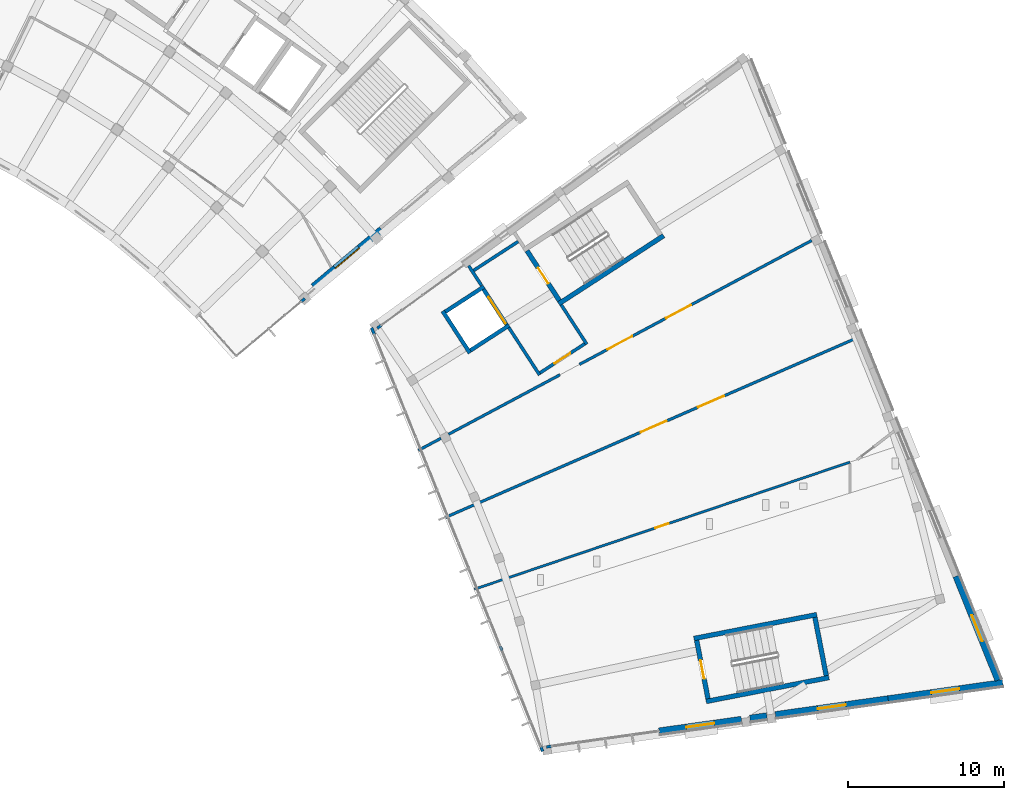
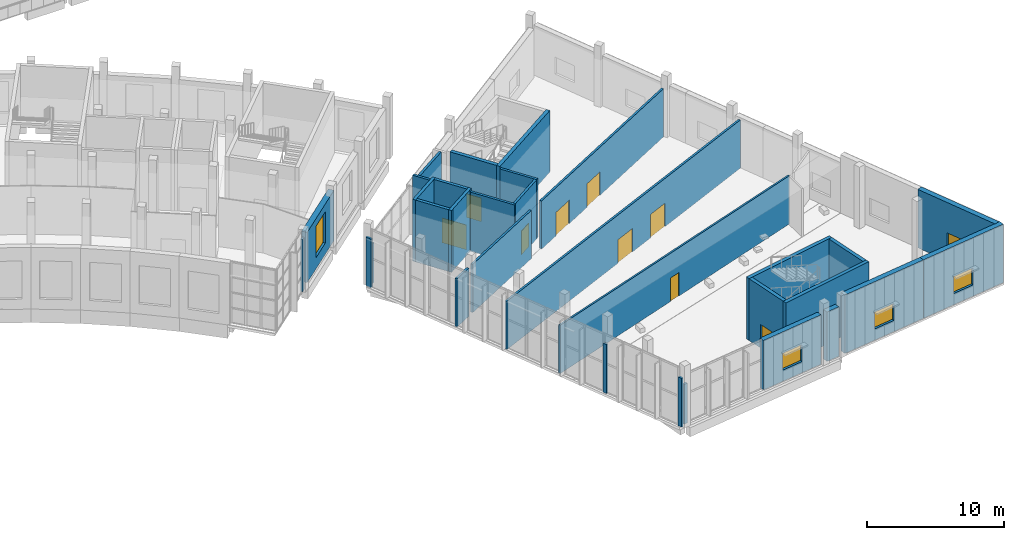
# One storey, part 42 of 87: 32 walls, 9 doors, 5 windows, 14 openings.
"""IFC4 building model written with IfcOpenShell, lengths in metres."""

from ifc_helpers import new_model, si_unit, direction, frame, frame_2d, origin, place, context, subcontext, project, spatial, rectangle, extrude, material, layer, layer_set, type_object, element, fill, save


model = new_model("IFC4")

# Units and contexts
model_context = context("Model", 3, precision=1e-05, world=origin(), true_north=direction((0.0, 1.0)))
body_context = subcontext(model_context, "Body", "Model", "MODEL_VIEW")
ifc_project = project(units=[si_unit("LENGTHUNIT", "METRE"), si_unit("AREAUNIT", "SQUARE_METRE"), si_unit("VOLUMEUNIT", "CUBIC_METRE"), si_unit("PLANEANGLEUNIT", "RADIAN"), si_unit("MASSUNIT", "GRAM", prefix="KILO")], contexts=[model_context])

# Site, building, storey
site_placement = place(None, origin())
site = spatial("IfcSite", under=ifc_project, at=site_placement, CompositionType="ELEMENT")
building_placement = place(site_placement, origin())
building = spatial("IfcBuilding", under=site, at=building_placement, Name="Lunette Opera House", CompositionType="ELEMENT")
storey_placement = place(building_placement, frame((0.0, 0.0, 11.5)))
storey = spatial("IfcBuildingStorey", under=building, at=storey_placement, Name="L02", CompositionType="ELEMENT", Elevation=11.5)

# Wall, openings, doors
ifc_material_1 = material(Name="Plastered clay blockwork", Category="masonry")
ifc_layer_1 = layer(ifc_material_1, 0.175048828125)
ifc_layer_set_1 = layer_set([ifc_layer_1], Name="Plastered clay blockwork")
wall_type_1 = type_object("IfcWallType", Name="ACOUSTIC BLOCK PARTITION 175", PredefinedType="PARTITIONING", material=ifc_layer_set_1)
wall_1_placement = place(storey_placement, frame((157.985107421875, 33.076904296875, 0.0), z_axis=(0.0, 0.0, 1.0), x_axis=(0.882245671987, 0.470789309841, 0.0)))
wall_1 = element("IfcWall", 1, at=wall_1_placement, inside=storey, type_object=wall_type_1, Name="Partition Studio Theatre Upper Foyer", PredefinedType="PARTITIONING", context=body_context, shape_type="SweptSolid", body=[
    extrude(rectangle(XDim=16.8251953125, YDim=0.175048828125, at=frame_2d((8.41259765625, 0.0))), origin(), (0.0, 0.0, 1.0), 4.300048828125),
])
opening_1_placement = place(wall_1_placement, frame((2.02587890625, 0.0, 0.0)))
opening_1 = element("IfcOpeningElement", 2, at=opening_1_placement, cuts=wall_1, Name="Opening SB-D3017", PredefinedType="OPENING", context=body_context, shape_type="SweptSolid", body=[
    extrude(rectangle(XDim=1.800048828125, YDim=2.10009765625, at=frame_2d((0.89990234375, 1.050048828125))), frame((0.0, 0.099609375, 0.0), z_axis=(0.0, -1.0, 0.0), x_axis=(1.0, 0.0, 0.0)), (0.0, 0.0, 1.0), 0.198974609375),
])
opening_2_placement = place(wall_1_placement, frame((6.27587890625, 0.0, 0.0)))
opening_2 = element("IfcOpeningElement", 3, at=opening_2_placement, cuts=wall_1, Name="Opening SB-D3018", PredefinedType="OPENING", context=body_context, shape_type="SweptSolid", body=[
    extrude(rectangle(XDim=1.800048828125, YDim=2.10009765625, at=frame_2d((0.89990234375, 1.050048828125))), frame((0.0, 0.099609375, 0.0), z_axis=(0.0, -1.0, 0.0), x_axis=(1.0, 0.0, 0.0)), (0.0, 0.0, 1.0), 0.198974609375),
])
ifc_material_2 = material(Name="Timber", Category="wood")
door_type_1 = type_object("IfcDoorType", Name="SOUND LOCK DOOR 1800 X 2100", OperationType="DOUBLE_DOOR_SINGLE_SWING", PredefinedType="DOOR", material=ifc_material_2)
door_1_placement = place(opening_1_placement, origin())
door_1 = element("IfcDoor", 4, at=door_1_placement, inside=storey, type_object=door_type_1, Name="Studio Theatre Gallery door", OperationType="DOUBLE_DOOR_SINGLE_SWING", OverallHeight=2.10009765625, OverallWidth=1.800048828125, PredefinedType="DOOR", context=body_context, shape_type="SweptSolid", body=[
    extrude(rectangle(XDim=1.800048828125, YDim=2.10009765625, at=frame_2d((0.89990234375, 1.050048828125))), frame((0.0, 0.02490234375, 0.0), z_axis=(0.0, -1.0, 0.0), x_axis=(1.0, 0.0, 0.0)), (0.0, 0.0, 1.0), 0.050048828125),
])
fill(opening_1, door_1)
door_2_placement = place(opening_2_placement, origin())
door_2 = element("IfcDoor", 5, at=door_2_placement, inside=storey, type_object=door_type_1, Name="Studio Theatre Gallery door", OperationType="DOUBLE_DOOR_SINGLE_SWING", OverallHeight=2.10009765625, OverallWidth=1.800048828125, PredefinedType="DOOR", context=body_context, shape_type="SweptSolid", body=[
    extrude(rectangle(XDim=1.800048828125, YDim=2.10009765625, at=frame_2d((0.89990234375, 1.050048828125))), frame((0.0, 0.02490234375, 0.0), z_axis=(0.0, -1.0, 0.0), x_axis=(1.0, 0.0, 0.0)), (0.0, 0.0, 1.0), 0.050048828125),
])
fill(opening_2, door_2)

# Walls
wall_2_placement = place(storey_placement, frame((149.618896484375, 28.612060546875, 0.0), z_axis=(0.0, 0.0, 1.0), x_axis=(0.882249989565, 0.470781218733, 0.0)))
element("IfcWall", 6, at=wall_2_placement, inside=storey, type_object=wall_type_1, Name="Partition Studio Theatre Upper Foyer", PredefinedType="PARTITIONING", context=body_context, shape_type="SweptSolid", body=[
    extrude(rectangle(XDim=8.075927734375, YDim=0.175048828125, at=frame_2d((4.0380859375, 0.0))), origin(), (0.0, 0.0, 1.0), 4.300048828125),
])
wall_3_placement = place(storey_placement, frame((147.697998046875, 27.5869140625, 0.0), z_axis=(0.0, 0.0, 1.0), x_axis=(0.882161764928, 0.47094651554, 0.0)))
element("IfcWall", 7, at=wall_3_placement, inside=storey, type_object=wall_type_1, Name="Partition Studio Theatre Upper Foyer", PredefinedType="PARTITIONING", context=body_context, shape_type="SweptSolid", body=[
    extrude(rectangle(XDim=1.626708984375, YDim=0.175048828125, at=frame_2d((0.8134765625, 0.0))), origin(), (0.0, 0.0, 1.0), 4.300048828125),
])

# Wall, openings, doors
wall_4_placement = place(storey_placement, frame((175.68994140625, 34.756103515625, 0.0), z_axis=(0.0, 0.0, 1.0), x_axis=(-0.916618872493, -0.39976223257, 0.0)))
wall_4 = element("IfcWall", 8, at=wall_4_placement, inside=storey, type_object=wall_type_1, Name="Partition Studio Rehearsal Room Upper", PredefinedType="PARTITIONING", context=body_context, shape_type="SweptSolid", body=[
    extrude(rectangle(XDim=28.64990234375, YDim=0.175048828125, at=frame_2d((14.324951171875, 0.0))), origin(), (0.0, 0.0, 1.0), 4.300048828125),
])
opening_3_placement = place(wall_4_placement, frame((13.239990234375, 0.0, 0.0)))
opening_3 = element("IfcOpeningElement", 9, at=opening_3_placement, cuts=wall_4, Name="Opening SB-D3019", PredefinedType="OPENING", context=body_context, shape_type="SweptSolid", body=[
    extrude(rectangle(XDim=1.800048828125, YDim=2.10009765625, at=frame_2d((0.89990234375, 1.050048828125))), frame((0.0, 0.099609375, 0.0), z_axis=(0.0, -1.0, 0.0), x_axis=(1.0, 0.0, 0.0)), (0.0, 0.0, 1.0), 0.198974609375),
])
opening_4_placement = place(wall_4_placement, frame((9.239990234375, 0.0, 0.0)))
opening_4 = element("IfcOpeningElement", 10, at=opening_4_placement, cuts=wall_4, Name="Opening SB-D3020", PredefinedType="OPENING", context=body_context, shape_type="SweptSolid", body=[
    extrude(rectangle(XDim=1.800048828125, YDim=2.10009765625, at=frame_2d((0.89990234375, 1.050048828125))), frame((0.0, 0.099609375, 0.0), z_axis=(0.0, -1.0, 0.0), x_axis=(1.0, 0.0, 0.0)), (0.0, 0.0, 1.0), 0.198974609375),
])
ifc_material_3 = material(Name="Timber", Category="wood")
door_type_2 = type_object("IfcDoorType", Name="DOUBLE FLUSH DOOR 1800 X 2100", OperationType="DOUBLE_DOOR_SINGLE_SWING", PredefinedType="DOOR", material=ifc_material_3)
door_3_placement = place(opening_3_placement, origin())
door_3 = element("IfcDoor", 11, at=door_3_placement, inside=storey, type_object=door_type_2, Name="Studio Rehearsal Room Upper door", OperationType="DOUBLE_DOOR_SINGLE_SWING", OverallHeight=2.10009765625, OverallWidth=1.800048828125, PredefinedType="DOOR", context=body_context, shape_type="SweptSolid", body=[
    extrude(rectangle(XDim=1.800048828125, YDim=2.10009765625, at=frame_2d((0.89990234375, 1.050048828125))), frame((0.0, 0.02490234375, 0.0), z_axis=(0.0, -1.0, 0.0), x_axis=(1.0, 0.0, 0.0)), (0.0, 0.0, 1.0), 0.050048828125),
])
fill(opening_3, door_3)
door_4_placement = place(opening_4_placement, origin())
door_4 = element("IfcDoor", 12, at=door_4_placement, inside=storey, type_object=door_type_2, Name="Studio Rehearsal Room Upper door", OperationType="DOUBLE_DOOR_SINGLE_SWING", OverallHeight=2.10009765625, OverallWidth=1.800048828125, PredefinedType="DOOR", context=body_context, shape_type="SweptSolid", body=[
    extrude(rectangle(XDim=1.800048828125, YDim=2.10009765625, at=frame_2d((0.89990234375, 1.050048828125))), frame((0.0, 0.02490234375, 0.0), z_axis=(0.0, -1.0, 0.0), x_axis=(1.0, 0.0, 0.0)), (0.0, 0.0, 1.0), 0.050048828125),
])
fill(opening_4, door_4)

# Wall, opening, window
ifc_material_4 = material(Name="Clinker brick", Category="masonry")
ifc_layer_2 = layer(ifc_material_4, 0.449951171875)
ifc_layer_set_2 = layer_set([ifc_layer_2], Name="Clinker brick")
wall_type_2 = type_object("IfcWallType", Name="ARM END WALL 450", PredefinedType="SOLIDWALL", material=ifc_layer_set_2)
wall_5_placement = place(storey_placement, frame((140.97509765625, 38.032958984375, 0.0), z_axis=(0.0, 0.0, 1.0), x_axis=(0.766065006368, 0.642763102565, 0.0)))
wall_5 = element("IfcWall", 13, at=wall_5_placement, inside=storey, type_object=wall_type_2, Name="Arm End Wall 450 EN-E1 L02", PredefinedType="SOLIDWALL", context=body_context, shape_type="SweptSolid", body=[
    extrude(rectangle(XDim=5.700439453125, YDim=0.449951171875, at=frame_2d((2.85009765625, 0.0))), origin(), (0.0, 0.0, 1.0), 4.47998046875),
])
opening_5_placement = place(wall_5_placement, frame((1.85009765625, 0.0, 1.0)))
opening_5 = element("IfcOpeningElement", 14, at=opening_5_placement, cuts=wall_5, Name="Opening FC-N2098", PredefinedType="OPENING", context=body_context, shape_type="SweptSolid", body=[
    extrude(rectangle(XDim=2.0, YDim=2.800048828125, at=frame_2d((1.0, 1.39990234375))), frame((0.0, 0.237060546875, 0.0), z_axis=(0.0, -1.0, 0.0), x_axis=(1.0, 0.0, 0.0)), (0.0, 0.0, 1.0), 0.473876953125),
])
ifc_material_5 = material(Name="Aluminium", Category="aluminium")
window_type_1 = type_object("IfcWindowType", Name="ARM WINDOW 2000 X 2800", PartitioningType="DOUBLE_PANEL_VERTICAL", PredefinedType="WINDOW", material=ifc_material_5)
window_1_placement = place(opening_5_placement, origin())
window_1 = element("IfcWindow", 15, at=window_1_placement, inside=storey, type_object=window_type_1, Name="Arm Window 2000 X 2800 EN-E1 L02", OverallHeight=2.800048828125, OverallWidth=2.0, PartitioningType="DOUBLE_PANEL_VERTICAL", PredefinedType="WINDOW", context=body_context, shape_type="SweptSolid", body=[
    extrude(rectangle(XDim=2.0, YDim=2.800048828125, at=frame_2d((1.0, 1.39990234375))), frame((0.0, 0.030029296875, 0.0), z_axis=(0.0, -1.0, 0.0), x_axis=(1.0, 0.0, 0.0)), (0.0, 0.0, 1.0), 0.06005859375),
])
fill(opening_5, window_1)

# Wall, opening, door
ifc_material_6 = material(Name="Plastered clay blockwork", Category="masonry")
ifc_layer_3 = layer(ifc_material_6, 0.14990234375)
ifc_layer_set_3 = layer_set([ifc_layer_3], Name="Plastered clay blockwork")
wall_type_3 = type_object("IfcWallType", Name="BLOCK PARTITION 150", PredefinedType="PARTITIONING", material=ifc_layer_set_3)
wall_6_placement = place(storey_placement, frame((175.279052734375, 26.833984375, 0.0), z_axis=(0.0, 0.0, 1.0), x_axis=(-0.947212187519, -0.320607348348, 0.0)))
wall_6 = element("IfcWall", 16, at=wall_6_placement, inside=storey, type_object=wall_type_3, Name="Partition Studio WC L02", PredefinedType="PARTITIONING", context=body_context, shape_type="SweptSolid", body=[
    extrude(rectangle(XDim=25.33349609375, YDim=0.14990234375, at=frame_2d((12.666748046875, 0.0))), origin(), (0.0, 0.0, 1.0), 4.300048828125),
])
opening_6_placement = place(wall_6_placement, frame((12.240966796875, 0.0, 0.0)))
opening_6 = element("IfcOpeningElement", 17, at=opening_6_placement, cuts=wall_6, Name="Opening SB-D3021", PredefinedType="OPENING", context=body_context, shape_type="SweptSolid", body=[
    extrude(rectangle(XDim=0.89990234375, YDim=2.10009765625, at=frame_2d((0.449951171875, 1.050048828125))), frame((0.0, 0.0869140625, 0.0), z_axis=(0.0, -1.0, 0.0), x_axis=(1.0, 0.0, 0.0)), (0.0, 0.0, 1.0), 0.173828125),
])
ifc_material_7 = material(Name="Timber", Category="wood")
door_type_3 = type_object("IfcDoorType", Name="FLUSH DOOR 900 X 2100", OperationType="SINGLE_SWING_LEFT", PredefinedType="DOOR", material=ifc_material_7)
door_5_placement = place(opening_6_placement, origin())
door_5 = element("IfcDoor", 18, at=door_5_placement, inside=storey, type_object=door_type_3, Name="Studio WC L02 door", OperationType="SINGLE_SWING_RIGHT", OverallHeight=2.10009765625, OverallWidth=0.89990234375, PredefinedType="DOOR", context=body_context, shape_type="SweptSolid", body=[
    extrude(rectangle(XDim=0.89990234375, YDim=2.10009765625, at=frame_2d((0.449951171875, 1.050048828125))), frame((0.0, 0.02490234375, 0.0), z_axis=(0.0, -1.0, 0.0), x_axis=(1.0, 0.0, 0.0)), (0.0, 0.0, 1.0), 0.050048828125),
])
fill(opening_6, door_5)

# Walls
ifc_material_8 = material(Name="Insulated aluminium sandwich panel", Category="aluminium")
ifc_layer_4 = layer(ifc_material_8, 0.179931640625)
ifc_layer_set_4 = layer_set([ifc_layer_4], Name="Insulated aluminium sandwich panel")
wall_type_4 = type_object("IfcWallType", Name="CURTAIN WALL INFILL 180", PredefinedType="SOLIDWALL", material=ifc_layer_set_4)
wall_7_placement = place(storey_placement, frame((140.199951171875, 37.089111328125, 0.0), z_axis=(0.0, 0.0, 1.0), x_axis=(0.767105498424, 0.641520969485, 0.0)))
element("IfcWall", 19, at=wall_7_placement, inside=storey, type_object=wall_type_4, Name="Curtain Wall Infill 180 IN10 L02", PredefinedType="SOLIDWALL", context=body_context, shape_type="SweptSolid", body=[
    extrude(rectangle(XDim=0.30517578125, YDim=0.179931640625, at=frame_2d((0.152587890625, 0.0))), origin(), (0.0, 0.0, 1.0), 4.64990234375),
])
wall_8_placement = place(storey_placement, frame((144.8759765625, 34.9990234375, 0.0), z_axis=(0.0, 0.0, 1.0), x_axis=(-0.374558592096, 0.927203246914, 0.0)))
element("IfcWall", 20, at=wall_8_placement, inside=storey, type_object=wall_type_4, Name="Curtain Wall Infill 180 IN134 L02", PredefinedType="SOLIDWALL", context=body_context, shape_type="SweptSolid", body=[
    extrude(rectangle(XDim=0.46484375, YDim=0.179931640625, at=frame_2d((0.232421875, 0.0))), origin(), (0.0, 0.0, 1.0), 4.35009765625),
])
wall_9_placement = place(storey_placement, frame((152.928955078125, 15.06689453125, 0.0), z_axis=(0.0, 0.0, 1.0), x_axis=(0.373735167079, -0.927535457483, 0.0)))
element("IfcWall", 21, at=wall_9_placement, inside=storey, type_object=wall_type_4, Name="Curtain Wall Infill 180 IN135 L02", PredefinedType="SOLIDWALL", context=body_context, shape_type="SweptSolid", body=[
    extrude(rectangle(XDim=0.30517578125, YDim=0.179931640625, at=frame_2d((0.152587890625, 0.0))), origin(), (0.0, 0.0, 1.0), 4.35009765625),
])
wall_10_placement = place(storey_placement, frame((155.527099609375, 8.635986328125, 0.0), z_axis=(0.0, 0.0, 1.0), x_axis=(0.374463049601, -0.927241837108, 0.0)))
element("IfcWall", 22, at=wall_10_placement, inside=storey, type_object=wall_type_4, Name="Curtain Wall Infill 180 IN136 L02", PredefinedType="SOLIDWALL", context=body_context, shape_type="SweptSolid", body=[
    extrude(rectangle(XDim=0.31494140625, YDim=0.179931640625, at=frame_2d((0.157470703125, 0.0))), origin(), (0.0, 0.0, 1.0), 4.35009765625),
])
for number, where, z_axis, x_axis, name in (
    (23, (156.18408203125, 8.669921875, 0.0), (0.0, 0.0, 1.0), (-0.99047104668, -0.137721115626, 0.0), "Curtain Wall Infill 180 IN137 L02"),
    (24, (145.31591796875, 35.571044921875, 0.0), (0.0, 0.0, 1.0), (-0.809600929575, -0.586980693747, 0.0), "Curtain Wall Infill 180 IN138 L02"),
):
    element("IfcWall", number, at=place(storey_placement, frame(where, z_axis=z_axis, x_axis=x_axis)), inside=storey, type_object=wall_type_4, Name=name, PredefinedType="SOLIDWALL", context=body_context, shape_type="SweptSolid", body=[
        extrude(rectangle(XDim=0.304931640625, YDim=0.179931640625, at=frame_2d((0.15234375, 0.0))), origin(), (0.0, 0.0, 1.0), 3.550048828125),
    ])
ifc_material_9 = material(Name="Concrete C35/45", Category="concrete")
ifc_layer_5 = layer(ifc_material_9, 0.199951171875)
ifc_layer_set_5 = layer_set([ifc_layer_5], Name="Concrete C35/45")
wall_type_5 = type_object("IfcWallType", Name="LOBBY WALL 200", PredefinedType="PARTITIONING", material=ifc_layer_set_5)
wall_11_placement = place(storey_placement, frame((150.906982421875, 39.385986328125, 0.0), z_axis=(0.0, 0.0, 1.0), x_axis=(0.54445901867, -0.838787444463, 0.0)))
element("IfcWall", 25, at=wall_11_placement, inside=storey, type_object=wall_type_5, Name="LL-ST lobby wall 1a", PredefinedType="PARTITIONING", context=body_context, shape_type="SweptSolid", body=[
    extrude(rectangle(XDim=1.508056640625, YDim=0.199951171875, at=frame_2d((0.75390625, 0.0))), origin(), (0.0, 0.0, 1.0), 5.280029296875),
])
wall_12_placement = place(storey_placement, frame((153.47607421875, 35.428955078125, 0.0), z_axis=(0.0, 0.0, 1.0), x_axis=(0.544669706692, -0.838650648728, 0.0)))
element("IfcWall", 26, at=wall_12_placement, inside=storey, type_object=wall_type_5, Name="LL-ST lobby wall 1b", PredefinedType="PARTITIONING", context=body_context, shape_type="SweptSolid", body=[
    extrude(rectangle(XDim=3.609130859375, YDim=0.199951171875, at=frame_2d((1.8046875, 0.0))), origin(), (0.0, 0.0, 1.0), 5.280029296875),
])

# Wall, opening, door
wall_13_placement = place(storey_placement, frame((155.470947265625, 32.5400390625, 0.0), z_axis=(0.0, 0.0, 1.0), x_axis=(0.838683012783, 0.544619871167, 0.0)))
wall_13 = element("IfcWall", 27, at=wall_13_placement, inside=storey, type_object=wall_type_5, Name="LL-ST lobby wall 2a", PredefinedType="PARTITIONING", context=body_context, shape_type="SweptSolid", body=[
    extrude(rectangle(XDim=3.400634765625, YDim=0.199951171875, at=frame_2d((1.7001953125, 0.0))), origin(), (0.0, 0.0, 1.0), 5.280029296875),
])
opening_7_placement = place(wall_13_placement, frame((1.10009765625, 0.0, 0.0)))
opening_7 = element("IfcOpeningElement", 28, at=opening_7_placement, cuts=wall_13, Name="Opening SB-D7012", PredefinedType="OPENING", context=body_context, shape_type="SweptSolid", body=[
    extrude(rectangle(XDim=1.199951171875, YDim=2.10009765625, at=frame_2d((0.60009765625, 1.050048828125))), frame((0.0, 0.112060546875, 0.0), z_axis=(0.0, -1.0, 0.0), x_axis=(1.0, 0.0, 0.0)), (0.0, 0.0, 1.0), 0.223876953125),
])
ifc_material_10 = material(Name="Steel", Category="steel")
door_type_4 = type_object("IfcDoorType", Name="FIRE DOOR 1200 X 2100", OperationType="SINGLE_SWING_LEFT", PredefinedType="DOOR", material=ifc_material_10)
door_6_placement = place(opening_7_placement, origin())
door_6 = element("IfcDoor", 29, at=door_6_placement, inside=storey, type_object=door_type_4, Name="LL-ST lobby door", OperationType="SINGLE_SWING_LEFT", OverallHeight=2.10009765625, OverallWidth=1.199951171875, PredefinedType="DOOR", context=body_context, shape_type="SweptSolid", body=[
    extrude(rectangle(XDim=1.199951171875, YDim=2.10009765625, at=frame_2d((0.60009765625, 1.050048828125))), frame((0.0, 0.02490234375, 0.0), z_axis=(0.0, -1.0, 0.0), x_axis=(1.0, 0.0, 0.0)), (0.0, 0.0, 1.0), 0.050048828125),
])
fill(opening_7, door_6)

# Walls
wall_14_placement = place(storey_placement, frame((158.4619140625, 34.363037109375, 0.0), z_axis=(0.0, 0.0, 1.0), x_axis=(-0.544606183959, 0.838691900756, 0.0)))
element("IfcWall", 30, at=wall_14_placement, inside=storey, type_object=wall_type_5, Name="LL-ST lobby wall 3a", PredefinedType="PARTITIONING", context=body_context, shape_type="SweptSolid", body=[
    extrude(rectangle(XDim=3.00927734375, YDim=0.199951171875, at=frame_2d((1.504638671875, 0.0))), origin(), (0.0, 0.0, 1.0), 5.280029296875),
])
wall_15_placement = place(storey_placement, frame((154.075927734375, 40.93408203125, 0.0), z_axis=(0.0, 0.0, 1.0), x_axis=(-0.838661716351, -0.544652665032, 0.0)))
element("IfcWall", 31, at=wall_15_placement, inside=storey, type_object=wall_type_5, Name="LL-ST lobby wall 4a", PredefinedType="PARTITIONING", context=body_context, shape_type="SweptSolid", body=[
    extrude(rectangle(XDim=3.400390625, YDim=0.199951171875, at=frame_2d((1.7001953125, 0.0))), origin(), (0.0, 0.0, 1.0), 5.280029296875),
])
ifc_material_11 = material(Name="Concrete C35/45", Category="concrete")
ifc_layer_6 = layer(ifc_material_11, 0.25)
ifc_layer_set_6 = layer_set([ifc_layer_6], Name="Concrete C35/45")
wall_type_6 = type_object("IfcWallType", Name="RC LIFT SHAFT WALL 250", PredefinedType="SOLIDWALL", material=ifc_layer_set_6)
for number, where, z_axis, x_axis, name in (
    (32, (149.243896484375, 36.485107421875, 0.0), (0.0, 0.0, 1.0), (0.54466119011, -0.838656179842, 0.0), "LF8 shaft wall 1"),
    (33, (150.81396484375, 33.837890625, 0.0), (0.0, 0.0, 1.0), (0.838656179842, 0.54466119011, 0.0), "LF8 shaft wall 2"),
):
    element("IfcWall", number, at=place(storey_placement, frame(where, z_axis=z_axis, x_axis=x_axis)), inside=storey, type_object=wall_type_6, Name=name, PredefinedType="SOLIDWALL", context=body_context, shape_type="SweptSolid", body=[
        extrude(rectangle(XDim=3.200439453125, YDim=0.25, at=frame_2d((1.60009765625, 0.0))), origin(), (0.0, 0.0, 1.0), 5.5),
    ])

# Wall, opening, door
wall_16_placement = place(storey_placement, frame((153.4609375, 35.407958984375, 0.0), z_axis=(0.0, 0.0, 1.0), x_axis=(-0.544746938909, 0.838600484467, 0.0)))
wall_16 = element("IfcWall", 34, at=wall_16_placement, inside=storey, type_object=wall_type_6, Name="LF8 shaft wall 3", PredefinedType="SOLIDWALL", context=body_context, shape_type="SweptSolid", body=[
    extrude(rectangle(XDim=3.199462890625, YDim=0.25, at=frame_2d((1.599609375, 0.0))), origin(), (0.0, 0.0, 1.0), 5.5),
])
opening_8_placement = place(wall_16_placement, frame((0.35009765625, 0.0, 0.0)))
opening_8 = element("IfcOpeningElement", 35, at=opening_8_placement, cuts=wall_16, Name="Opening SB-LD004", PredefinedType="OPENING", context=body_context, shape_type="SweptSolid", body=[
    extrude(rectangle(XDim=2.0, YDim=2.199951171875, at=frame_2d((1.0, 1.10009765625))), frame((0.0, 0.136962890625, 0.0), z_axis=(0.0, -1.0, 0.0), x_axis=(1.0, 0.0, 0.0)), (0.0, 0.0, 1.0), 0.27392578125),
])
ifc_material_12 = material(Name="Stainless steel", Category="steel")
door_type_5 = type_object("IfcDoorType", Name="LIFT LANDING DOOR 2000 X 2200", OperationType="DOUBLE_DOOR_SLIDING", PredefinedType="DOOR", material=ifc_material_12)
door_7_placement = place(opening_8_placement, origin())
door_7 = element("IfcDoor", 36, at=door_7_placement, inside=storey, type_object=door_type_5, Name="LF8 lift landing door", OperationType="DOUBLE_DOOR_SLIDING", OverallHeight=2.199951171875, OverallWidth=2.0, PredefinedType="DOOR", context=body_context, shape_type="SweptSolid", body=[
    extrude(rectangle(XDim=2.0, YDim=2.199951171875, at=frame_2d((1.0, 1.10009765625))), frame((0.0, 0.02490234375, 0.0), z_axis=(0.0, -1.0, 0.0), x_axis=(1.0, 0.0, 0.0)), (0.0, 0.0, 1.0), 0.050048828125),
])
fill(opening_8, door_7)

# Wall
wall_17_placement = place(storey_placement, frame((151.89111328125, 38.053955078125, 0.0), z_axis=(0.0, 0.0, 1.0), x_axis=(-0.838830397361, -0.544392840201, 0.0)))
element("IfcWall", 37, at=wall_17_placement, inside=storey, type_object=wall_type_6, Name="LF8 shaft wall 4", PredefinedType="SOLIDWALL", context=body_context, shape_type="SweptSolid", body=[
    extrude(rectangle(XDim=3.19970703125, YDim=0.25, at=frame_2d((1.599853515625, 0.0))), origin(), (0.0, 0.0, 1.0), 5.5),
])

# Wall, opening, door
ifc_material_13 = material(Name="Concrete C35/45", Category="concrete")
ifc_layer_7 = layer(ifc_material_13, 0.300048828125)
ifc_layer_set_7 = layer_set([ifc_layer_7], Name="Concrete C35/45")
wall_type_7 = type_object("IfcWallType", Name="RC STAIR ENCLOSURE WALL 300", PredefinedType="SOLIDWALL", material=ifc_layer_set_7)
wall_18_placement = place(storey_placement, frame((154.635986328125, 40.343994140625, 0.0), z_axis=(0.0, 0.0, 1.0), x_axis=(0.544712834543, -0.838622637355, 0.0)))
wall_18 = element("IfcWall", 38, at=wall_18_placement, inside=storey, type_object=wall_type_7, Name="ST21 enclosure wall 1", PredefinedType="SOLIDWALL", context=body_context, shape_type="SweptSolid", body=[
    extrude(rectangle(XDim=3.80029296875, YDim=0.300048828125, at=frame_2d((1.900146484375, 0.0))), origin(), (0.0, 0.0, 1.0), 5.5),
])
opening_9_placement = place(wall_18_placement, frame((1.300048828125, 0.0, 0.0)))
opening_9 = element("IfcOpeningElement", 39, at=opening_9_placement, cuts=wall_18, Name="Opening SB-D7004", PredefinedType="OPENING", context=body_context, shape_type="SweptSolid", body=[
    extrude(rectangle(XDim=1.199951171875, YDim=2.10009765625, at=frame_2d((0.60009765625, 1.050048828125))), frame((0.0, 0.162109375, 0.0), z_axis=(0.0, -1.0, 0.0), x_axis=(1.0, 0.0, 0.0)), (0.0, 0.0, 1.0), 0.323974609375),
])
door_8_placement = place(opening_9_placement, origin())
door_8 = element("IfcDoor", 40, at=door_8_placement, inside=storey, type_object=door_type_4, Name="ST21 stair door", OperationType="SINGLE_SWING_LEFT", OverallHeight=2.10009765625, OverallWidth=1.199951171875, PredefinedType="DOOR", context=body_context, shape_type="SweptSolid", body=[
    extrude(rectangle(XDim=1.199951171875, YDim=2.10009765625, at=frame_2d((0.60009765625, 1.050048828125))), frame((0.0, 0.02490234375, 0.0), z_axis=(0.0, -1.0, 0.0), x_axis=(1.0, 0.0, 0.0)), (0.0, 0.0, 1.0), 0.050048828125),
])
fill(opening_9, door_8)

# Wall
wall_19_placement = place(storey_placement, frame((156.662109375, 36.949951171875, 0.0), z_axis=(0.0, 0.0, 1.0), x_axis=(0.838666673849, 0.544645031351, 0.0)))
element("IfcWall", 41, at=wall_19_placement, inside=storey, type_object=wall_type_7, Name="ST21 enclosure wall 2", PredefinedType="SOLIDWALL", context=body_context, shape_type="SweptSolid", body=[
    extrude(rectangle(XDim=7.99951171875, YDim=0.300048828125, at=frame_2d((3.999755859375, 0.0))), origin(), (0.0, 0.0, 1.0), 5.5),
])

# Wall, opening, door
wall_20_placement = place(storey_placement, frame((165.47998046875, 15.44091796875, 0.0), z_axis=(0.0, 0.0, 1.0), x_axis=(0.190824946063, -0.981624082814, 0.0)))
wall_20 = element("IfcWall", 42, at=wall_20_placement, inside=storey, type_object=wall_type_7, Name="ST22 enclosure wall 1", PredefinedType="SOLIDWALL", context=body_context, shape_type="SweptSolid", body=[
    extrude(rectangle(XDim=3.7998046875, YDim=0.300048828125, at=frame_2d((1.89990234375, 0.0))), origin(), (0.0, 0.0, 1.0), 5.5),
])
opening_10_placement = place(wall_20_placement, frame((1.300048828125, 0.0, 0.0)))
opening_10 = element("IfcOpeningElement", 43, at=opening_10_placement, cuts=wall_20, Name="Opening SB-D7009", PredefinedType="OPENING", context=body_context, shape_type="SweptSolid", body=[
    extrude(rectangle(XDim=1.199951171875, YDim=2.10009765625, at=frame_2d((0.60009765625, 1.050048828125))), frame((0.0, 0.162109375, 0.0), z_axis=(0.0, -1.0, 0.0), x_axis=(1.0, 0.0, 0.0)), (0.0, 0.0, 1.0), 0.323974609375),
])
door_9_placement = place(opening_10_placement, origin())
door_9 = element("IfcDoor", 44, at=door_9_placement, inside=storey, type_object=door_type_4, Name="ST22 stair door", OperationType="SINGLE_SWING_LEFT", OverallHeight=2.10009765625, OverallWidth=1.199951171875, PredefinedType="DOOR", context=body_context, shape_type="SweptSolid", body=[
    extrude(rectangle(XDim=1.199951171875, YDim=2.10009765625, at=frame_2d((0.60009765625, 1.050048828125))), frame((0.0, 0.02490234375, 0.0), z_axis=(0.0, -1.0, 0.0), x_axis=(1.0, 0.0, 0.0)), (0.0, 0.0, 1.0), 0.050048828125),
])
fill(opening_10, door_9)

# Walls
wall_21_placement = place(storey_placement, frame((166.0859375, 11.534912109375, 0.0), z_axis=(0.0, 0.0, 1.0), x_axis=(0.981635396686, 0.190766737073, 0.0)))
element("IfcWall", 45, at=wall_21_placement, inside=storey, type_object=wall_type_7, Name="ST22 enclosure wall 2", PredefinedType="SOLIDWALL", context=body_context, shape_type="SweptSolid", body=[
    extrude(rectangle(XDim=8.0, YDim=0.300048828125, at=frame_2d((4.0, 0.0))), origin(), (0.0, 0.0, 1.0), 5.5),
])
wall_22_placement = place(storey_placement, frame((173.763916015625, 13.179931640625, 0.0), z_axis=(0.0, 0.0, 1.0), x_axis=(-0.190763033741, 0.981636116368, 0.0)))
element("IfcWall", 46, at=wall_22_placement, inside=storey, type_object=wall_type_7, Name="ST22 enclosure wall 3", PredefinedType="SOLIDWALL", context=body_context, shape_type="SweptSolid", body=[
    extrude(rectangle(XDim=3.7998046875, YDim=0.300048828125, at=frame_2d((1.89990234375, 0.0))), origin(), (0.0, 0.0, 1.0), 5.5),
])
wall_23_placement = place(storey_placement, frame((173.157958984375, 17.0859375, 0.0), z_axis=(0.0, 0.0, 1.0), x_axis=(-0.981641111144, -0.190737329623, 0.0)))
element("IfcWall", 47, at=wall_23_placement, inside=storey, type_object=wall_type_7, Name="ST22 enclosure wall 4", PredefinedType="SOLIDWALL", context=body_context, shape_type="SweptSolid", body=[
    extrude(rectangle(XDim=8.0, YDim=0.300048828125, at=frame_2d((4.0, 0.0))), origin(), (0.0, 0.0, 1.0), 5.5),
])

# Wall, opening, window
ifc_material_14 = material(Name="Clinker brick", Category="masonry")
ifc_layer_8 = layer(ifc_material_14, 0.419921875)
ifc_layer_set_8 = layer_set([ifc_layer_8], Name="Clinker brick")
wall_type_8 = type_object("IfcWallType", Name="STUDIO BRICK WALL 420", PredefinedType="SOLIDWALL", material=ifc_layer_set_8)
wall_24_placement = place(storey_placement, frame((163.076904296875, 9.638916015625, 0.0), z_axis=(0.0, 0.0, 1.0), x_axis=(0.990252820999, 0.139281551197, 0.0)))
wall_24 = element("IfcWall", 48, at=wall_24_placement, inside=storey, type_object=wall_type_8, Name="Studio Brick Wall 420 F06-1 L02", PredefinedType="SOLIDWALL", context=body_context, shape_type="SweptSolid", body=[
    extrude(rectangle(XDim=5.31982421875, YDim=0.419921875, at=frame_2d((2.659912109375, 0.0))), origin(), (0.0, 0.0, 1.0), 4.39990234375),
])
opening_11_placement = place(wall_24_placement, frame((1.760009765625, 0.0, 1.0)))
opening_11 = element("IfcOpeningElement", 49, at=opening_11_placement, cuts=wall_24, Name="Opening SB-N2013", PredefinedType="OPENING", context=body_context, shape_type="SweptSolid", body=[
    extrude(rectangle(XDim=1.800048828125, YDim=1.5, at=frame_2d((0.89990234375, 0.75))), frame((0.0, 0.221923828125, 0.0), z_axis=(0.0, -1.0, 0.0), x_axis=(1.0, 0.0, 0.0)), (0.0, 0.0, 1.0), 0.44384765625),
])
ifc_material_15 = material(Name="Aluminium", Category="aluminium")
window_type_2 = type_object("IfcWindowType", Name="STUDIO WINDOW 1800 X 1500", PartitioningType="DOUBLE_PANEL_VERTICAL", PredefinedType="WINDOW", material=ifc_material_15)
window_2_placement = place(opening_11_placement, origin())
window_2 = element("IfcWindow", 50, at=window_2_placement, inside=storey, type_object=window_type_2, Name="Studio Window 1800 X 1500 F06-1 L02", OverallHeight=1.5, OverallWidth=1.800048828125, PartitioningType="DOUBLE_PANEL_VERTICAL", PredefinedType="WINDOW", context=body_context, shape_type="SweptSolid", body=[
    extrude(rectangle(XDim=1.800048828125, YDim=1.5, at=frame_2d((0.89990234375, 0.75))), frame((0.0, 0.030029296875, 0.0), z_axis=(0.0, -1.0, 0.0), x_axis=(1.0, 0.0, 0.0)), (0.0, 0.0, 1.0), 0.06005859375),
])
fill(opening_11, window_2)

# Wall
wall_25_placement = place(storey_placement, frame((168.889892578125, 10.4560546875, 0.0), z_axis=(0.0, 0.0, 1.0), x_axis=(0.990225632743, 0.139474715481, 0.0)))
element("IfcWall", 51, at=wall_25_placement, inside=storey, type_object=wall_type_8, Name="Studio Brick Wall 420 F06-2 L02", PredefinedType="SOLIDWALL", context=body_context, shape_type="SweptSolid", body=[
    extrude(rectangle(XDim=1.0888671875, YDim=0.419921875, at=frame_2d((0.54443359375, 0.0))), origin(), (0.0, 0.0, 1.0), 4.39990234375),
])

# Wall, opening, window
wall_26_placement = place(storey_placement, frame((170.512939453125, 10.68408203125, 0.0), z_axis=(0.0, 0.0, 1.0), x_axis=(0.990259181758, 0.139236320493, 0.0)))
wall_26 = element("IfcWall", 52, at=wall_26_placement, inside=storey, type_object=wall_type_8, Name="Studio Brick Wall 420 F07 L02", PredefinedType="SOLIDWALL", context=body_context, shape_type="SweptSolid", body=[
    extrude(rectangle(XDim=7.27490234375, YDim=0.419921875, at=frame_2d((3.637451171875, 0.0))), origin(), (0.0, 0.0, 1.0), 5.199951171875),
])
opening_12_placement = place(wall_26_placement, frame((2.738037109375, 0.0, 1.0)))
opening_12 = element("IfcOpeningElement", 53, at=opening_12_placement, cuts=wall_26, Name="Opening SB-N2014", PredefinedType="OPENING", context=body_context, shape_type="SweptSolid", body=[
    extrude(rectangle(XDim=1.800048828125, YDim=1.5, at=frame_2d((0.89990234375, 0.75))), frame((0.0, 0.221923828125, 0.0), z_axis=(0.0, -1.0, 0.0), x_axis=(1.0, 0.0, 0.0)), (0.0, 0.0, 1.0), 0.44384765625),
])
window_3_placement = place(opening_12_placement, origin())
window_3 = element("IfcWindow", 54, at=window_3_placement, inside=storey, type_object=window_type_2, Name="Studio Window 1800 X 1500 F07 L02", OverallHeight=1.5, OverallWidth=1.800048828125, PartitioningType="DOUBLE_PANEL_VERTICAL", PredefinedType="WINDOW", context=body_context, shape_type="SweptSolid", body=[
    extrude(rectangle(XDim=1.800048828125, YDim=1.5, at=frame_2d((0.89990234375, 0.75))), frame((0.0, 0.030029296875, 0.0), z_axis=(0.0, -1.0, 0.0), x_axis=(1.0, 0.0, 0.0)), (0.0, 0.0, 1.0), 0.06005859375),
])
fill(opening_12, window_3)

wall_27_placement = place(storey_placement, frame((177.717041015625, 11.697021484375, 0.0), z_axis=(0.0, 0.0, 1.0), x_axis=(0.990262769028, 0.139210805171, 0.0)))
wall_27 = element("IfcWall", 55, at=wall_27_placement, inside=storey, type_object=wall_type_8, Name="Studio Brick Wall 420 F08 L02", PredefinedType="SOLIDWALL", context=body_context, shape_type="SweptSolid", body=[
    extrude(rectangle(XDim=7.39208984375, YDim=0.419921875, at=frame_2d((3.696044921875, 0.0))), origin(), (0.0, 0.0, 1.0), 5.199951171875),
])
opening_13_placement = place(wall_27_placement, frame((2.7958984375, 0.0, 1.0)))
opening_13 = element("IfcOpeningElement", 56, at=opening_13_placement, cuts=wall_27, Name="Opening SB-N2015", PredefinedType="OPENING", context=body_context, shape_type="SweptSolid", body=[
    extrude(rectangle(XDim=1.800048828125, YDim=1.5, at=frame_2d((0.89990234375, 0.75))), frame((0.0, 0.221923828125, 0.0), z_axis=(0.0, -1.0, 0.0), x_axis=(1.0, 0.0, 0.0)), (0.0, 0.0, 1.0), 0.44384765625),
])
window_4_placement = place(opening_13_placement, origin())
window_4 = element("IfcWindow", 57, at=window_4_placement, inside=storey, type_object=window_type_2, Name="Studio Window 1800 X 1500 F08 L02", OverallHeight=1.5, OverallWidth=1.800048828125, PartitioningType="DOUBLE_PANEL_VERTICAL", PredefinedType="WINDOW", context=body_context, shape_type="SweptSolid", body=[
    extrude(rectangle(XDim=1.800048828125, YDim=1.5, at=frame_2d((0.89990234375, 0.75))), frame((0.0, 0.030029296875, 0.0), z_axis=(0.0, -1.0, 0.0), x_axis=(1.0, 0.0, 0.0)), (0.0, 0.0, 1.0), 0.06005859375),
])
fill(opening_13, window_4)

wall_28_placement = place(storey_placement, frame((184.75, 12.89111328125, 0.0), z_axis=(0.0, 0.0, 1.0), x_axis=(-0.374594824941, 0.927188609252, 0.0)))
wall_28 = element("IfcWall", 58, at=wall_28_placement, inside=storey, type_object=wall_type_8, Name="Studio Brick Wall 420 F09 L02", PredefinedType="SOLIDWALL", context=body_context, shape_type="SweptSolid", body=[
    extrude(rectangle(XDim=7.16796875, YDim=0.419921875, at=frame_2d((3.583984375, 0.0))), origin(), (0.0, 0.0, 1.0), 5.199951171875),
])
opening_14_placement = place(wall_28_placement, frame((2.68408203125, 0.0, 1.0)))
opening_14 = element("IfcOpeningElement", 59, at=opening_14_placement, cuts=wall_28, Name="Opening SB-N2016", PredefinedType="OPENING", context=body_context, shape_type="SweptSolid", body=[
    extrude(rectangle(XDim=1.800048828125, YDim=1.5, at=frame_2d((0.89990234375, 0.75))), frame((0.0, 0.221923828125, 0.0), z_axis=(0.0, -1.0, 0.0), x_axis=(1.0, 0.0, 0.0)), (0.0, 0.0, 1.0), 0.44384765625),
])
window_5_placement = place(opening_14_placement, origin())
window_5 = element("IfcWindow", 60, at=window_5_placement, inside=storey, type_object=window_type_2, Name="Studio Window 1800 X 1500 F09 L02", OverallHeight=1.5, OverallWidth=1.800048828125, PartitioningType="DOUBLE_PANEL_VERTICAL", PredefinedType="WINDOW", context=body_context, shape_type="SweptSolid", body=[
    extrude(rectangle(XDim=1.800048828125, YDim=1.5, at=frame_2d((0.89990234375, 0.75))), frame((0.0, 0.030029296875, 0.0), z_axis=(0.0, -1.0, 0.0), x_axis=(1.0, 0.0, 0.0)), (0.0, 0.0, 1.0), 0.06005859375),
])
fill(opening_14, window_5)

save(model, "model.ifc")
